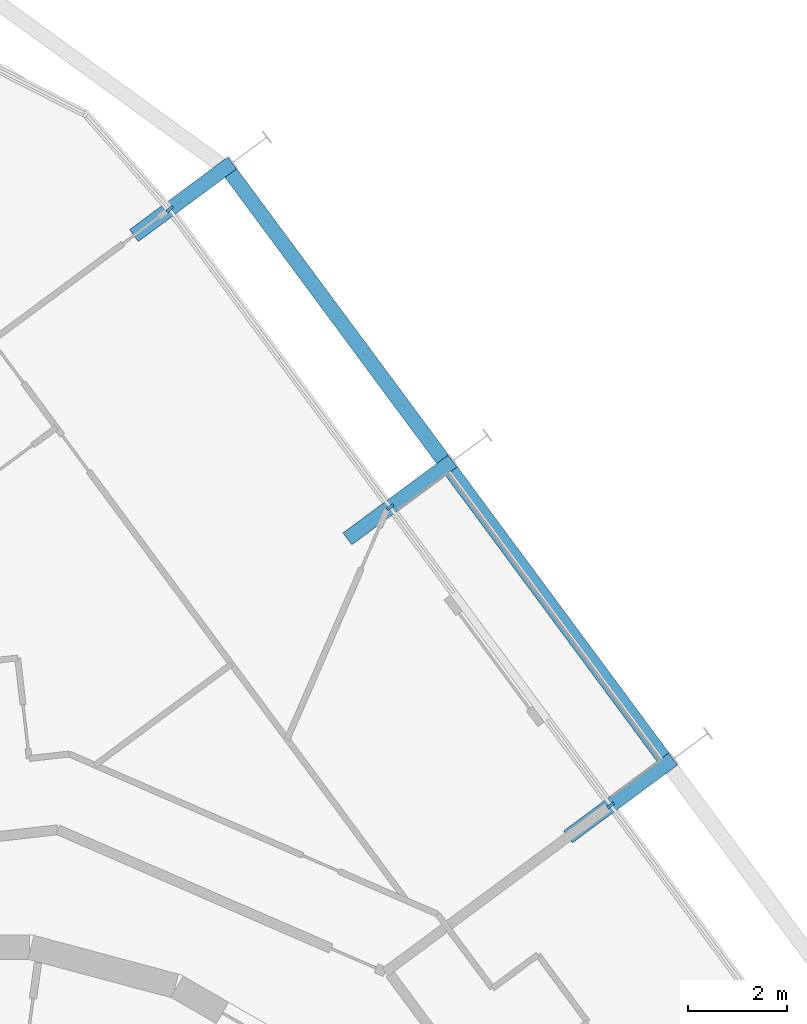
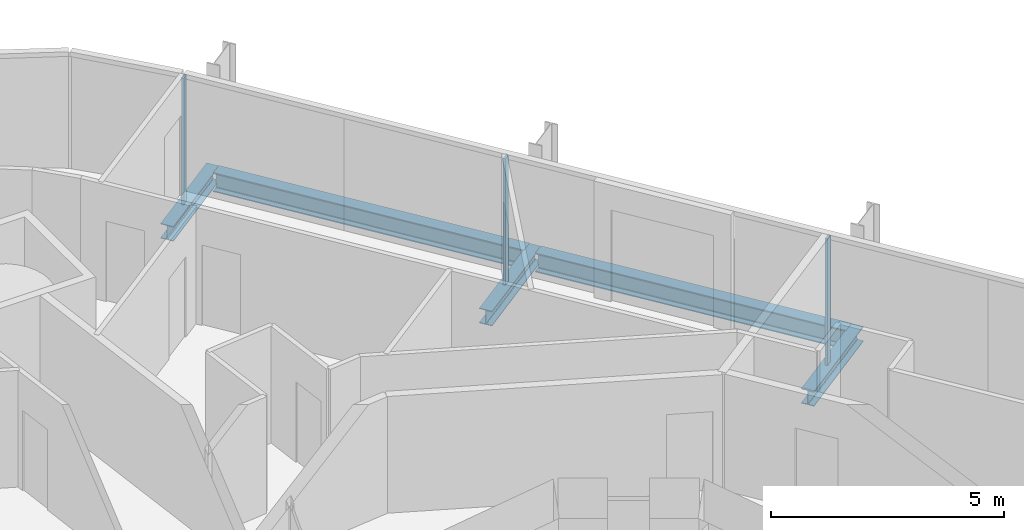
# One storey, part 11 of 23: 5 beams, 3 members, 2 elements without a shape of their own.
"""IFC4 building model written with IfcOpenShell, lengths in metres."""

from ifc_helpers import new_model, si_unit, direction, frame, origin, origin_2d, place, context, subcontext, project, spatial, rectangle, i_section, extrude, material, layer, layer_set, material_profile, profile_set, type_object, element, aggregate, save


model = new_model("IFC4")

# Units and contexts
model_context = context("Model", 3, precision=1e-05, world=origin(), true_north=direction((0.0, 1.0)))
body_context = subcontext(model_context, "Body", "Model", "MODEL_VIEW")
ifc_project = project(units=[si_unit("LENGTHUNIT", "METRE"), si_unit("AREAUNIT", "SQUARE_METRE"), si_unit("VOLUMEUNIT", "CUBIC_METRE"), si_unit("PLANEANGLEUNIT", "RADIAN"), si_unit("MASSUNIT", "GRAM", prefix="KILO")], contexts=[model_context])

# Site, building, storey
site_placement = place(None, origin())
site = spatial("IfcSite", under=ifc_project, at=site_placement, CompositionType="ELEMENT")
building_placement = place(site_placement, origin())
building = spatial("IfcBuilding", under=site, at=building_placement, Name="Spindle Arch Residences", CompositionType="ELEMENT")
storey_placement = place(building_placement, frame((0.0, 0.0, 104.699951171875)))
storey = spatial("IfcBuildingStorey", under=building, at=storey_placement, Name="L25", CompositionType="ELEMENT", Elevation=104.699951171875)

# Curtain wall, members
ifc_material_1 = material(Name="Aluminium bronze unitised frame with tinted glass", Category="aluminium")
ifc_layer_1 = layer(ifc_material_1, 0.159912109375)
ifc_layer_set_1 = layer_set([ifc_layer_1], Name="CW-C typical residential unitised wall")
curtain_wall_type_1 = type_object("IfcCurtainWallType", Name="CW-C typical residential unitised wall", PredefinedType="NOTDEFINED", material=ifc_layer_set_1)
curtain_wall_1_placement = place(storey_placement, origin())
curtain_wall_1 = element("IfcCurtainWall", 1, at=curtain_wall_1_placement, inside=storey, type_object=curtain_wall_type_1, Name="CW-C L25 run 2", PredefinedType="NOTDEFINED")
ifc_material_2 = material(Name="Aluminium bronze anodised mullion", Category="aluminium")
ifc_material_profile_1 = material_profile(ifc_material_2, rectangle(XDim=0.159912109375, YDim=0.06005859375, at=origin_2d()), Name="MU 60x160")
ifc_profile_set_1 = profile_set([ifc_material_profile_1], Name="Aluminium bronze anodised mullion")
member_type = type_object("IfcMemberType", Name="Bronze mullion 60x160", PredefinedType="MULLION", material=ifc_profile_set_1)
member_1_placement = place(storey_placement, frame((13.308349609375, 14.5244140625, -0.3798828125), z_axis=(0.0, 0.0, 1.0), x_axis=(-0.803856860617, -0.594822786751, 0.0)))
member_1 = element("IfcMember", 2, at=member_1_placement, type_object=member_type, Name="CW-C mullion 08", PredefinedType="MULLION", context=body_context, shape_type="SweptSolid", body=[
    extrude(rectangle(XDim=0.159912109375, YDim=0.06005859375, at=origin_2d()), origin(), (0.0, 0.0, 1.0), 3.309814453125),
])
member_2_placement = place(storey_placement, frame((8.8359375, 20.568603515625, -0.3798828125), z_axis=(0.0, 0.0, 1.0), x_axis=(-0.803856860617, -0.594822786751, 0.0)))
member_2 = element("IfcMember", 3, at=member_2_placement, type_object=member_type, Name="CW-C mullion 09", PredefinedType="MULLION", context=body_context, shape_type="SweptSolid", body=[
    extrude(rectangle(XDim=0.159912109375, YDim=0.06005859375, at=origin_2d()), origin(), (0.0, 0.0, 1.0), 3.309814453125),
])
aggregate(curtain_wall_1, [member_1, member_2])

# Curtain wall, member
ifc_material_3 = material(Name="Aluminium bronze unitised frame with tinted glass", Category="aluminium")
ifc_layer_2 = layer(ifc_material_3, 0.159912109375)
ifc_layer_set_2 = layer_set([ifc_layer_2], Name="CW-D corner wall on the fillet arcs")
curtain_wall_type_2 = type_object("IfcCurtainWallType", Name="CW-D corner wall on the fillet arcs", PredefinedType="NOTDEFINED", material=ifc_layer_set_2)
curtain_wall_2_placement = place(storey_placement, origin())
curtain_wall_2 = element("IfcCurtainWall", 4, at=curtain_wall_2_placement, inside=storey, type_object=curtain_wall_type_2, Name="CW-D L25 run 3", PredefinedType="NOTDEFINED")
member_3_placement = place(storey_placement, frame((4.36376953125, 26.612548828125, -0.3798828125), z_axis=(0.0, 0.0, 1.0), x_axis=(-0.750646632877, -0.660703891733, 0.0)))
member_3 = element("IfcMember", 5, at=member_3_placement, type_object=member_type, Name="CW-D mullion 00", PredefinedType="MULLION", context=body_context, shape_type="SweptSolid", body=[
    extrude(rectangle(XDim=0.159912109375, YDim=0.06005859375, at=origin_2d()), origin(), (0.0, 0.0, 1.0), 3.309814453125),
])
aggregate(curtain_wall_2, [member_3])

# Beams
ifc_material_4 = material(Name="Steel S460ML, intumescent coating R 120", Category="steel")
ifc_material_profile_2 = material_profile(ifc_material_4, i_section(OverallWidth=0.300048828125, OverallDepth=0.5, WebThickness=0.014404296875, FlangeThickness=0.028076171875, FilletRadius=0.027099609375, at=origin_2d()), Name="HEB 500")
ifc_profile_set_2 = profile_set([ifc_material_profile_2], Name="Steel S460ML, intumescent coating R 120")
beam_type_1 = type_object("IfcBeamType", Name="Exoskeleton edge beam HEB 500", PredefinedType="BEAM", material=ifc_profile_set_2)
beam_1_placement = place(storey_placement, frame((14.383056640625, 15.481201171875, -0.6298828125), z_axis=(-0.594826923516, 0.803853799556, 0.0), x_axis=(-0.803853799556, -0.594826923516, 0.0)))
element("IfcBeam", 6, at=beam_1_placement, inside=storey, type_object=beam_type_1, Name="Exoskeleton edge beam 9", PredefinedType="BEAM", context=body_context, shape_type="SweptSolid", body=[
    extrude(i_section(OverallWidth=0.300048828125, OverallDepth=0.5, WebThickness=0.014404296875, FlangeThickness=0.028076171875, FilletRadius=0.027099609375, at=origin_2d()), origin(), (0.0, 0.0, 1.0), 7.259033203125),
])
beam_2_placement = place(storey_placement, frame((9.91064453125, 21.525390625, -0.6298828125), z_axis=(-0.594821272041, 0.803857981441, 0.0), x_axis=(-0.803857981441, -0.594821272041, 0.0)))
element("IfcBeam", 7, at=beam_2_placement, inside=storey, type_object=beam_type_1, Name="Exoskeleton edge beam 10", PredefinedType="BEAM", context=body_context, shape_type="SweptSolid", body=[
    extrude(i_section(OverallWidth=0.300048828125, OverallDepth=0.5, WebThickness=0.014404296875, FlangeThickness=0.028076171875, FilletRadius=0.027099609375, at=origin_2d()), origin(), (0.0, 0.0, 1.0), 7.2587890625),
])
ifc_material_5 = material(Name="Steel S460ML, intumescent coating R 120", Category="steel")
ifc_material_profile_3 = material_profile(ifc_material_5, i_section(OverallWidth=0.300048828125, OverallDepth=0.389892578125, WebThickness=0.010986328125, FlangeThickness=0.01904296875, FilletRadius=0.027099609375, at=origin_2d()), Name="HEA 400")
ifc_profile_set_3 = profile_set([ifc_material_profile_3], Name="Steel S460ML, intumescent coating R 120")
beam_type_2 = type_object("IfcBeamType", Name="Floor outrigger HEA 400", PredefinedType="BEAM", material=ifc_profile_set_3)
for number, where, z_axis, x_axis, name in (
    (8, (14.570556640625, 15.458251953125, -0.574951171875), (-0.803896519326, -0.594769187345, 0.0), (0.594769187345, -0.803896519326, 0.0), "Floor outrigger 9"),
    (9, (10.09814453125, 21.502197265625, -0.574951171875), (-0.803896519326, -0.594769187345, 0.0), (0.594769187345, -0.803896519326, 0.0), "Floor outrigger 10"),
):
    element("IfcBeam", number, at=place(storey_placement, frame(where, z_axis=z_axis, x_axis=x_axis)), inside=storey, type_object=beam_type_2, Name=name, PredefinedType="BEAM", context=body_context, shape_type="SweptSolid", body=[
        extrude(i_section(OverallWidth=0.300048828125, OverallDepth=0.389892578125, WebThickness=0.010986328125, FlangeThickness=0.01904296875, FilletRadius=0.027099609375, at=origin_2d()), origin(), (0.0, 0.0, 1.0), 2.650146484375),
    ])
beam_3_placement = place(storey_placement, frame((5.625732421875, 27.54638671875, -0.574951171875), z_axis=(-0.80387213449, -0.594802144743, 0.0), x_axis=(0.594802144743, -0.80387213449, 0.0)))
element("IfcBeam", 10, at=beam_3_placement, inside=storey, type_object=beam_type_2, Name="Floor outrigger 11", PredefinedType="BEAM", context=body_context, shape_type="SweptSolid", body=[
    extrude(i_section(OverallWidth=0.300048828125, OverallDepth=0.389892578125, WebThickness=0.010986328125, FlangeThickness=0.01904296875, FilletRadius=0.027099609375, at=origin_2d()), origin(), (0.0, 0.0, 1.0), 2.470947265625),
])

save(model, "model.ifc")
